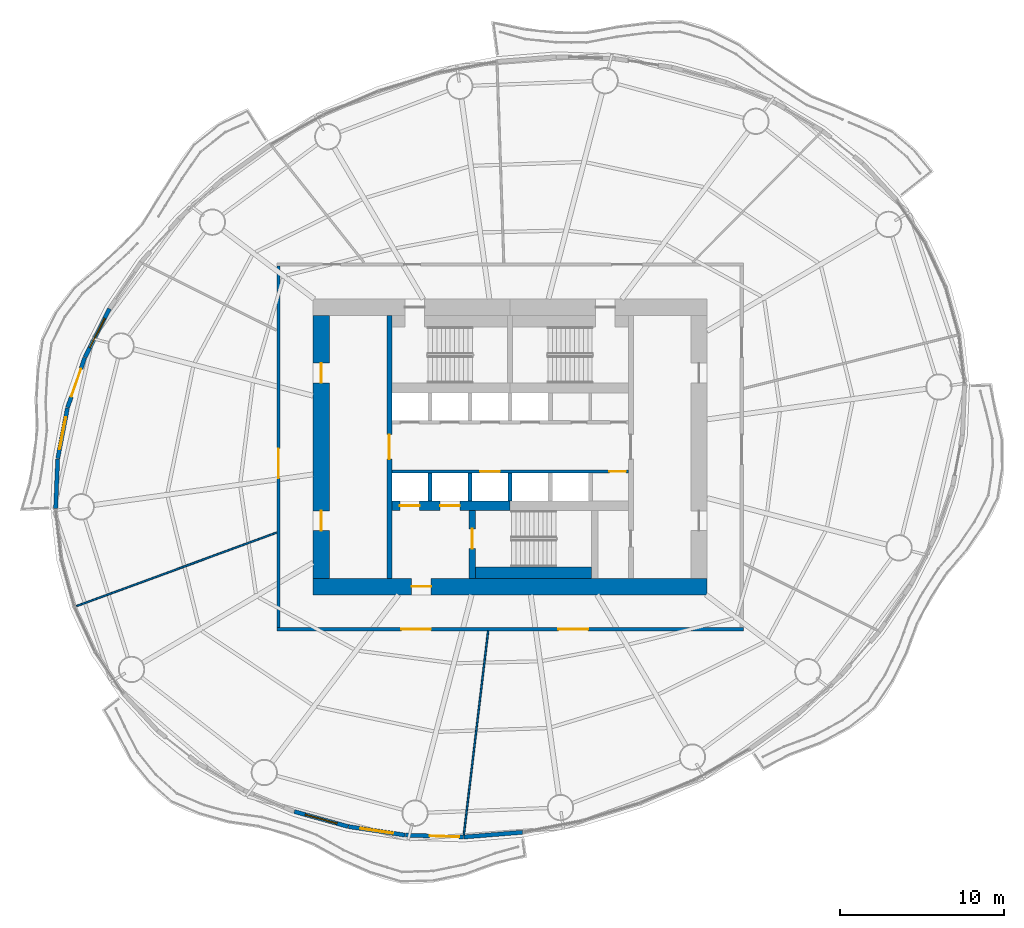
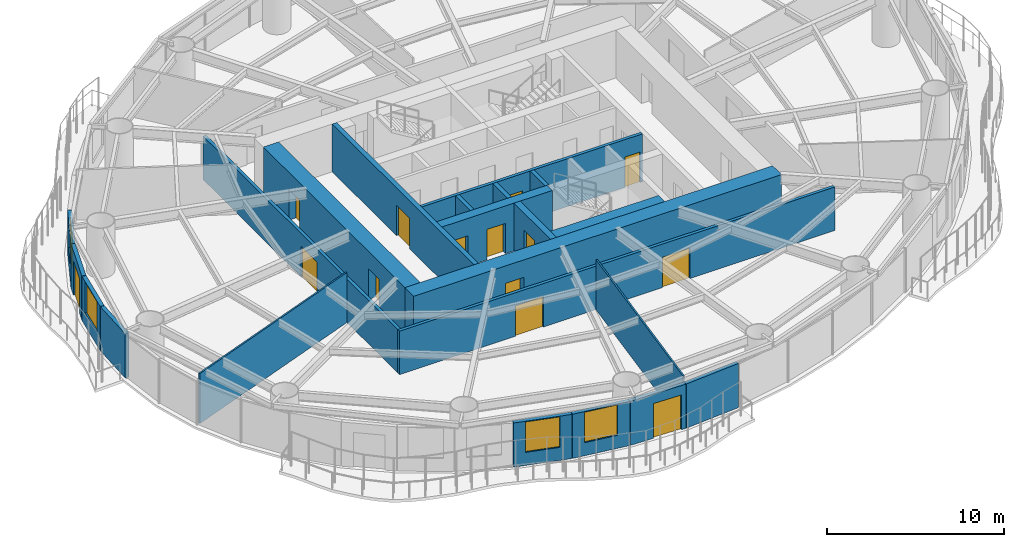
# One storey, part 8 of 16: 22 walls, 14 doors, 4 windows, 18 openings.
"""IFC4 building model written with IfcOpenShell, lengths in metres."""

import ifcopenshell
import ifcopenshell.guid

model = None  # the IFC model being written
_history = None  # IfcOwnerHistory: only IFC2X3 demands one
_inside = {}  # id of a spatial element -> (the spatial element, [elements in it])
_under = {}  # id of a project, library or spatial element -> (it, [spatial elements below it])
_declared = {}  # id of a project -> (the project, [libraries it declares])
_typed = {}  # id of a type object -> (the type object, [elements of that type])
_made_of = {}  # id of a material, layer set ... -> (it, [elements and type objects made of it])


def new_model(schema):
    """Start an empty IFC model of exactly this schema.

    Asked for "IFC4X3", IfcOpenShell would pick the latest addendum, in which some entities
    have other attributes; the version numbers below select the first issue.
    IFC2X3 requires an IfcOwnerHistory on every rooted entity: one is made here for all.
    """
    global model, _history
    if schema == "IFC4X3":
        model = ifcopenshell.file(schema_version=(4, 3, 0, 0))
    else:
        model = ifcopenshell.file(schema=schema)
    _inside.clear()
    _under.clear()
    _declared.clear()
    _typed.clear()
    _made_of.clear()
    _history = None
    if model.schema == "IFC2X3":
        org = make("IfcOrganization", Name="unknown")
        user = make(
            "IfcPersonAndOrganization",
            ThePerson=make("IfcPerson", FamilyName="unknown"),
            TheOrganization=org,
        )
        app = make(
            "IfcApplication",
            ApplicationDeveloper=org,
            Version="unknown",
            ApplicationFullName="unknown",
            ApplicationIdentifier="unknown",
        )
        _history = make(
            "IfcOwnerHistory",
            OwningUser=user,
            OwningApplication=app,
            ChangeAction="ADDED",
            CreationDate=0,
        )
    return model


def make(cls, **values):
    """One entity of the class cls with the attributes given. An attribute that is None is left unset."""
    return model.create_entity(
        cls, **{name: value for name, value in values.items() if value is not None}
    )


def rooted(cls, **values):
    """An entity with a GlobalId (a new one), such as an element, a storey or a relation."""
    return make(cls, GlobalId=ifcopenshell.guid.new(), OwnerHistory=_history, **values)


def si_unit(unit_type, name, prefix=None):
    """IfcSIUnit, for example si_unit("LENGTHUNIT", "METRE", prefix="MILLI")."""
    return make("IfcSIUnit", UnitType=unit_type, Prefix=prefix, Name=name)


def assignment(units):
    """IfcUnitAssignment: the units of a project."""
    return None if units is None else make("IfcUnitAssignment", Units=units)


def point(xyz):
    """IfcCartesianPoint."""
    return None if xyz is None else make("IfcCartesianPoint", Coordinates=xyz)


def direction(xyz):
    """IfcDirection."""
    return None if xyz is None else make("IfcDirection", DirectionRatios=xyz)


def frame(location, z_axis=None, x_axis=None):
    """IfcAxis2Placement3D, a coordinate frame: its origin and axes. An axis left out is left unset."""
    return make(
        "IfcAxis2Placement3D",
        Location=point(location),
        Axis=direction(z_axis),
        RefDirection=direction(x_axis),
    )


def frame_2d(location, x_axis=None):
    """IfcAxis2Placement2D, a coordinate frame in the plane: its origin and x axis."""
    return make(
        "IfcAxis2Placement2D", Location=point(location), RefDirection=direction(x_axis)
    )


def origin():
    """The frame at (0, 0, 0) with its axes left unset."""
    return frame((0.0, 0.0, 0.0))


def place(relative_to, where):
    """IfcLocalPlacement: puts the frame where relative to a parent placement (None: the world)."""
    return make(
        "IfcLocalPlacement", PlacementRelTo=relative_to, RelativePlacement=where
    )


def context(
    kind, dimensions, precision=None, world=None, true_north=None, identifier=None
):
    """IfcGeometricRepresentationContext, for example the 3D "Model" context."""
    return make(
        "IfcGeometricRepresentationContext",
        ContextIdentifier=identifier,
        ContextType=kind,
        CoordinateSpaceDimension=dimensions,
        Precision=precision,
        WorldCoordinateSystem=world,
        TrueNorth=true_north,
    )


def subcontext(parent, identifier, kind, view, scale=None):
    """IfcGeometricRepresentationSubContext, for example "Body" below "Model"."""
    return make(
        "IfcGeometricRepresentationSubContext",
        ContextIdentifier=identifier,
        ContextType=kind,
        ParentContext=parent,
        TargetScale=scale,
        TargetView=view,
    )


def project(units=None, contexts=None):
    """IfcProject with its units and contexts."""
    return rooted(
        "IfcProject",
        Name="project",
        RepresentationContexts=contexts,
        UnitsInContext=assignment(units),
    )


def spatial(cls, under=None, at=None, **own):
    """A site, building, storey or space (cls), placed at a placement, below another one or the project."""
    s = rooted(cls, ObjectPlacement=at, **own)
    if under is not None:
        _under.setdefault(under.id(), (under, []))[1].append(s)
    return s


def profile(cls, at=None, kind="AREA", **sizes):
    """A parametric profile (cls). Its sizes go by their IFC names, for example OverallWidth=200.0."""
    return make(cls, ProfileType=kind, Position=at, **sizes)


def rectangle(**sizes):
    """IfcRectangleProfileDef."""
    return profile("IfcRectangleProfileDef", **sizes)


def extrude(swept, where, along, depth):
    """IfcExtrudedAreaSolid: the profile swept, set in the frame where, extruded along a direction by depth."""
    return make(
        "IfcExtrudedAreaSolid",
        SweptArea=swept,
        Position=where,
        ExtrudedDirection=direction(along),
        Depth=depth,
    )


def shape(context_of_items, identifier, shape_type, items):
    """IfcShapeRepresentation: the items that make up one representation, for example the "Body"."""
    return make(
        "IfcShapeRepresentation",
        ContextOfItems=context_of_items,
        RepresentationIdentifier=identifier,
        RepresentationType=shape_type,
        Items=items,
    )


def material(Name=None, Category=None):
    """IfcMaterial."""
    return make("IfcMaterial", Name=Name, Category=Category)


def layer(
    of_material, thickness, ventilated=None, Name=None, Category=None, Priority=None
):
    """IfcMaterialLayer: one layer of a wall or slab, of a material (None: an air gap)."""
    return make(
        "IfcMaterialLayer",
        Material=of_material,
        LayerThickness=thickness,
        IsVentilated=ventilated,
        Name=Name,
        Category=Category,
        Priority=Priority,
    )


def layer_set(layers, Name=None):
    """IfcMaterialLayerSet."""
    return make("IfcMaterialLayerSet", MaterialLayers=layers, LayerSetName=Name)


def made_of(thing, what):
    """Note that an element or type object is made of a material, layer set ...; save() writes the relation."""
    if what is not None:
        _made_of.setdefault(what.id(), (what, []))[1].append(thing)
    return thing


def type_object(cls, material=None, **own):
    """A type object (cls), such as IfcWallType, which elements share."""
    return made_of(rooted(cls, **own), material)


def element(
    cls,
    number,
    at=None,
    inside=None,
    cuts=None,
    type_object=None,
    material=None,
    context=None,
    identifier="Body",
    shape_type=None,
    held_by="IfcProductDefinitionShape",
    body=None,
    shapes=None,
    **own,
):
    """One element of the class cls, such as IfcWall. Its Tag is "e" and its number.

    at: its placement. inside: the storey or other place that contains it. cuts: it is an
    opening in that element (IfcRelVoidsElement). A single representation is given by context,
    identifier, shape_type and body (its items); several are given by shapes. held_by: the class
    of the entity that holds the representations. save() writes the other relations.
    """
    e = rooted(cls, Tag="e%d" % number, ObjectPlacement=at, **own)
    if body is not None:
        shapes = [shape(context, identifier, shape_type, body)]
    if shapes is not None:
        e.Representation = make(held_by, Representations=shapes)
    if inside is not None:
        _inside.setdefault(inside.id(), (inside, []))[1].append(e)
    if cuts is not None:
        rooted(
            "IfcRelVoidsElement", RelatingBuildingElement=cuts, RelatedOpeningElement=e
        )
    if type_object is not None:
        _typed.setdefault(type_object.id(), (type_object, []))[1].append(e)
    return made_of(e, material)


def fill(opening, filler):
    """IfcRelFillsElement: the door or window that sits in an opening."""
    return rooted(
        "IfcRelFillsElement",
        RelatingOpeningElement=opening,
        RelatedBuildingElement=filler,
    )


def aggregate(whole, parts):
    """IfcRelAggregates: a whole, such as a stair, and the parts it consists of."""
    return rooted("IfcRelAggregates", RelatingObject=whole, RelatedObjects=parts)


def save(model, path):
    """Write the relations noted so far, then the file.

    IfcRelAggregates (storeys below a building ...), IfcRelContainedInSpatialStructure (elements
    in a storey), IfcRelDefinesByType, IfcRelAssociatesMaterial and IfcRelDeclares: one each for
    every whole, place, type object, material and project.
    """
    for whole, parts in _under.values():
        aggregate(whole, parts)
    for where, things in _inside.values():
        rooted(
            "IfcRelContainedInSpatialStructure",
            RelatedElements=things,
            RelatingStructure=where,
        )
    for kind, things in _typed.values():
        rooted("IfcRelDefinesByType", RelatedObjects=things, RelatingType=kind)
    for what, things in _made_of.values():
        rooted("IfcRelAssociatesMaterial", RelatedObjects=things, RelatingMaterial=what)
    for by, libraries in _declared.values():
        rooted("IfcRelDeclares", RelatingContext=by, RelatedDefinitions=libraries)
    model.write(path)


model = new_model("IFC4")

# Units and contexts
model_context = context("Model", 3, precision=1e-05, world=origin(), true_north=direction((0.0, 1.0)))
body_context = subcontext(model_context, "Body", "Model", "MODEL_VIEW")
ifc_project = project(units=[si_unit("LENGTHUNIT", "METRE"), si_unit("AREAUNIT", "SQUARE_METRE"), si_unit("VOLUMEUNIT", "CUBIC_METRE"), si_unit("PLANEANGLEUNIT", "RADIAN"), si_unit("MASSUNIT", "GRAM", prefix="KILO")], contexts=[model_context])

# Site, building, storey
site_placement = place(None, origin())
site = spatial("IfcSite", under=ifc_project, at=site_placement, CompositionType="ELEMENT")
building_placement = place(site_placement, origin())
building = spatial("IfcBuilding", under=site, at=building_placement, Name="Vermilion Reach Broadcast Tower", CompositionType="ELEMENT")
storey_placement = place(building_placement, frame((0.0, 0.0, 113.800048828125)))
storey = spatial("IfcBuildingStorey", under=building, at=storey_placement, Name="L26", CompositionType="ELEMENT", Elevation=113.800048828125)

# Wall, opening, door
ifc_material_1 = material(Name="Concrete C70", Category="concrete")
ifc_layer_1 = layer(ifc_material_1, 0.300048828125)
ifc_layer_set_1 = layer_set([ifc_layer_1], Name="Core inner wall 300 mm Concrete C70")
wall_type_1 = type_object("IfcWallType", Name="Core inner wall 300 mm Concrete C70", PredefinedType="SHEAR", material=ifc_layer_set_1)
wall_1_placement = place(storey_placement, frame((-13.35009765625, 8.0, 0.0), z_axis=(0.0, 0.0, 1.0), x_axis=(0.0, -1.0, 0.0)))
wall_1 = element("IfcWall", 1, at=wall_1_placement, inside=storey, type_object=wall_type_1, Name="L26 core wall ewW", PredefinedType="SHEAR", context=body_context, shape_type="SweptSolid", body=[
    extrude(rectangle(XDim=16.0, YDim=0.300048828125, at=frame_2d((8.0, 0.0))), origin(), (0.0, 0.0, 1.0), 3.300048828125),
])
opening_1_placement = place(wall_1_placement, frame((7.25, 0.0, 0.0)))
opening_1 = element("IfcOpeningElement", 2, at=opening_1_placement, cuts=wall_1, Name="Opening D04", PredefinedType="OPENING", context=body_context, shape_type="SweptSolid", body=[
    extrude(rectangle(XDim=1.5, YDim=2.10009765625, at=frame_2d((0.75, 1.050048828125))), frame((0.0, 0.159912109375, 0.0), z_axis=(0.0, -1.0, 0.0), x_axis=(1.0, 0.0, 0.0)), (0.0, 0.0, 1.0), 0.320068359375),
])
ifc_material_2 = material(Name="Painted steel fire door", Category="steel")
door_type_1 = type_object("IfcDoorType", Name="Lift lobby door 1500 x 2100", OperationType="DOUBLE_DOOR_SINGLE_SWING", PredefinedType="NOTDEFINED", material=ifc_material_2)
door_1_placement = place(opening_1_placement, origin())
door_1 = element("IfcDoor", 3, at=door_1_placement, inside=storey, type_object=door_type_1, Name="L26 band door BW", OperationType="DOUBLE_DOOR_SINGLE_SWING", OverallHeight=2.10009765625, OverallWidth=1.5, PredefinedType="NOTDEFINED", context=body_context, shape_type="SweptSolid", body=[
    extrude(rectangle(XDim=1.5, YDim=2.10009765625, at=frame_2d((0.75, 1.050048828125))), frame((0.0, 0.02490234375, 0.0), z_axis=(0.0, -1.0, 0.0), x_axis=(1.0, 0.0, 0.0)), (0.0, 0.0, 1.0), 0.050048828125),
])
fill(opening_1, door_1)

ifc_material_3 = material(Name="Concrete C70", Category="concrete")
ifc_layer_2 = layer(ifc_material_3, 0.39990234375)
ifc_layer_set_2 = layer_set([ifc_layer_2], Name="Core inner wall 400 mm Concrete C70")
wall_type_2 = type_object("IfcWallType", Name="Core inner wall 400 mm Concrete C70", PredefinedType="SHEAR", material=ifc_layer_set_2)
wall_2_placement = place(storey_placement, frame((-8.300048828125, -3.8798828125, 0.0), z_axis=(0.0, 0.0, 1.0), x_axis=(0.0, -1.0, 0.0)))
wall_2 = element("IfcWall", 4, at=wall_2_placement, inside=storey, type_object=wall_type_2, Name="L26 core wall wa", PredefinedType="SHEAR", context=body_context, shape_type="SweptSolid", body=[
    extrude(rectangle(XDim=4.1201171875, YDim=0.39990234375, at=frame_2d((2.06005859375, 0.0))), origin(), (0.0, 0.0, 1.0), 3.300048828125),
])
opening_2_placement = place(wall_2_placement, frame((1.110107421875, 0.0, 0.0)))
opening_2 = element("IfcOpeningElement", 5, at=opening_2_placement, cuts=wall_2, Name="Opening D01", PredefinedType="OPENING", context=body_context, shape_type="SweptSolid", body=[
    extrude(rectangle(XDim=1.199951171875, YDim=2.10009765625, at=frame_2d((0.60009765625, 1.050048828125))), frame((0.0, 0.2099609375, 0.0), z_axis=(0.0, -1.0, 0.0), x_axis=(1.0, 0.0, 0.0)), (0.0, 0.0, 1.0), 0.419921875),
])
ifc_material_4 = material(Name="Painted steel fire door", Category="steel")
door_type_2 = type_object("IfcDoorType", Name="Stair door 1200 x 2100", OperationType="DOUBLE_DOOR_SINGLE_SWING", PredefinedType="NOTDEFINED", material=ifc_material_4)
door_2_placement = place(opening_2_placement, origin())
door_2 = element("IfcDoor", 6, at=door_2_placement, inside=storey, type_object=door_type_2, Name="L26 stair door ST3", OperationType="DOUBLE_DOOR_SINGLE_SWING", OverallHeight=2.10009765625, OverallWidth=1.199951171875, PredefinedType="NOTDEFINED", context=body_context, shape_type="SweptSolid", body=[
    extrude(rectangle(XDim=1.199951171875, YDim=2.10009765625, at=frame_2d((0.60009765625, 1.050048828125))), frame((0.0, 0.02490234375, 0.0), z_axis=(0.0, -1.0, 0.0), x_axis=(1.0, 0.0, 0.0)), (0.0, 0.0, 1.0), 0.050048828125),
])
fill(opening_2, door_2)

# Wall, openings, doors
ifc_material_5 = material(Name="Concrete C70", Category="concrete")
ifc_layer_3 = layer(ifc_material_5, 0.60009765625)
ifc_layer_set_3 = layer_set([ifc_layer_3], Name="Core inner wall 600 mm Concrete C70")
wall_type_3 = type_object("IfcWallType", Name="Core inner wall 600 mm Concrete C70", PredefinedType="SHEAR", material=ifc_layer_set_3)
wall_3_placement = place(storey_placement, frame((-13.199951171875, -3.580078125, 0.0), z_axis=(0.0, 0.0, 1.0), x_axis=(1.0, 0.0, 0.0)))
wall_3 = element("IfcWall", 7, at=wall_3_placement, inside=storey, type_object=wall_type_3, Name="L26 core wall wisW", PredefinedType="SHEAR", context=body_context, shape_type="SweptSolid", body=[
    extrude(rectangle(XDim=7.199951171875, YDim=0.60009765625, at=frame_2d((3.60009765625, 0.0))), origin(), (0.0, 0.0, 1.0), 3.300048828125),
])
opening_3_placement = place(wall_3_placement, frame((0.495849609375, 0.0, 0.0)))
opening_3 = element("IfcOpeningElement", 8, at=opening_3_placement, cuts=wall_3, Name="Opening LD1", PredefinedType="OPENING", context=body_context, shape_type="SweptSolid", body=[
    extrude(rectangle(XDim=1.199951171875, YDim=2.10009765625, at=frame_2d((0.60009765625, 1.050048828125))), frame((0.0, 0.31005859375, 0.0), z_axis=(0.0, -1.0, 0.0), x_axis=(1.0, 0.0, 0.0)), (0.0, 0.0, 1.0), 0.6201171875),
])
opening_4_placement = place(wall_3_placement, frame((2.9375, 0.0, 0.0)))
opening_4 = element("IfcOpeningElement", 9, at=opening_4_placement, cuts=wall_3, Name="Opening LD1", PredefinedType="OPENING", context=body_context, shape_type="SweptSolid", body=[
    extrude(rectangle(XDim=1.199951171875, YDim=2.10009765625, at=frame_2d((0.60009765625, 1.050048828125))), frame((0.0, 0.31005859375, 0.0), z_axis=(0.0, -1.0, 0.0), x_axis=(1.0, 0.0, 0.0)), (0.0, 0.0, 1.0), 0.6201171875),
])
ifc_material_6 = material(Name="Stainless steel", Category="steel")
door_type_3 = type_object("IfcDoorType", Name="Landing door 1200 x 2100", OperationType="DOUBLE_DOOR_SLIDING", PredefinedType="NOTDEFINED", material=ifc_material_6)
door_3_placement = place(opening_3_placement, origin())
door_3 = element("IfcDoor", 10, at=door_3_placement, inside=storey, type_object=door_type_3, Name="L26 landing door FF1", OperationType="DOUBLE_DOOR_SLIDING", OverallHeight=2.10009765625, OverallWidth=1.199951171875, PredefinedType="NOTDEFINED", context=body_context, shape_type="SweptSolid", body=[
    extrude(rectangle(XDim=1.199951171875, YDim=2.10009765625, at=frame_2d((0.60009765625, 1.050048828125))), frame((0.0, 0.02490234375, 0.0), z_axis=(0.0, -1.0, 0.0), x_axis=(1.0, 0.0, 0.0)), (0.0, 0.0, 1.0), 0.050048828125),
])
fill(opening_3, door_3)
door_4_placement = place(opening_4_placement, origin())
door_4 = element("IfcDoor", 11, at=door_4_placement, inside=storey, type_object=door_type_3, Name="L26 landing door FF2", OperationType="DOUBLE_DOOR_SLIDING", OverallHeight=2.10009765625, OverallWidth=1.199951171875, PredefinedType="NOTDEFINED", context=body_context, shape_type="SweptSolid", body=[
    extrude(rectangle(XDim=1.199951171875, YDim=2.10009765625, at=frame_2d((0.60009765625, 1.050048828125))), frame((0.0, 0.02490234375, 0.0), z_axis=(0.0, -1.0, 0.0), x_axis=(1.0, 0.0, 0.0)), (0.0, 0.0, 1.0), 0.050048828125),
])
fill(opening_4, door_4)

# Wall, opening, door
ifc_material_7 = material(Name="Concrete C70", Category="concrete")
ifc_layer_4 = layer(ifc_material_7, 1.0)
ifc_layer_set_4 = layer_set([ifc_layer_4], Name="Core outer wall 1000 mm Concrete C70")
wall_type_4 = type_object("IfcWallType", Name="Core outer wall 1000 mm Concrete C70", PredefinedType="SHEAR", material=ifc_layer_set_4)
wall_4_placement = place(storey_placement, frame((-18.0, -8.5, 0.0), z_axis=(0.0, 0.0, 1.0), x_axis=(1.0, 0.0, 0.0)))
wall_4 = element("IfcWall", 12, at=wall_4_placement, inside=storey, type_object=wall_type_4, Name="L26 core wall os", PredefinedType="SHEAR", context=body_context, shape_type="SweptSolid", body=[
    extrude(rectangle(XDim=24.0, YDim=1.0, at=frame_2d((12.0, 0.0))), origin(), (0.0, 0.0, 1.0), 3.300048828125),
])
opening_5_placement = place(wall_4_placement, frame((6.0, 0.0, 0.0)))
opening_5 = element("IfcOpeningElement", 13, at=opening_5_placement, cuts=wall_4, Name="Opening D02", PredefinedType="OPENING", context=body_context, shape_type="SweptSolid", body=[
    extrude(rectangle(XDim=1.199951171875, YDim=2.10009765625, at=frame_2d((0.60009765625, 1.050048828125))), frame((0.0, 0.510009765625, 0.0), z_axis=(0.0, -1.0, 0.0), x_axis=(1.0, 0.0, 0.0)), (0.0, 0.0, 1.0), 1.02001953125),
])
ifc_material_8 = material(Name="Painted steel fire door", Category="steel")
door_type_4 = type_object("IfcDoorType", Name="Firefighting lobby door 1200 x 2100", OperationType="DOUBLE_DOOR_SINGLE_SWING", PredefinedType="NOTDEFINED", material=ifc_material_8)
door_5_placement = place(opening_5_placement, origin())
door_5 = element("IfcDoor", 14, at=door_5_placement, inside=storey, type_object=door_type_4, Name="L26 ffdoor door FFL", OperationType="DOUBLE_DOOR_SINGLE_SWING", OverallHeight=2.10009765625, OverallWidth=1.199951171875, PredefinedType="NOTDEFINED", context=body_context, shape_type="SweptSolid", body=[
    extrude(rectangle(XDim=1.199951171875, YDim=2.10009765625, at=frame_2d((0.60009765625, 1.050048828125))), frame((0.0, 0.02490234375, 0.0), z_axis=(0.0, -1.0, 0.0), x_axis=(1.0, 0.0, 0.0)), (0.0, 0.0, 1.0), 0.050048828125),
])
fill(opening_5, door_5)

# Wall, openings, doors
wall_5_placement = place(storey_placement, frame((-17.5, 8.0, 0.0), z_axis=(0.0, 0.0, 1.0), x_axis=(0.0, -1.0, 0.0)))
wall_5 = element("IfcWall", 15, at=wall_5_placement, inside=storey, type_object=wall_type_4, Name="L26 core wall ow", PredefinedType="SHEAR", context=body_context, shape_type="SweptSolid", body=[
    extrude(rectangle(XDim=16.0, YDim=1.0, at=frame_2d((8.0, 0.0))), origin(), (0.0, 0.0, 1.0), 3.300048828125),
])
opening_6_placement = place(wall_5_placement, frame((11.89990234375, 0.0, 0.0)))
opening_6 = element("IfcOpeningElement", 16, at=opening_6_placement, cuts=wall_5, Name="Opening D03", PredefinedType="OPENING", context=body_context, shape_type="SweptSolid", body=[
    extrude(rectangle(XDim=1.199951171875, YDim=2.10009765625, at=frame_2d((0.60009765625, 1.050048828125))), frame((0.0, 0.510009765625, 0.0), z_axis=(0.0, -1.0, 0.0), x_axis=(1.0, 0.0, 0.0)), (0.0, 0.0, 1.0), 1.02001953125),
])
opening_7_placement = place(wall_5_placement, frame((2.89990234375, 0.0, 0.0)))
opening_7 = element("IfcOpeningElement", 17, at=opening_7_placement, cuts=wall_5, Name="Opening D03", PredefinedType="OPENING", context=body_context, shape_type="SweptSolid", body=[
    extrude(rectangle(XDim=1.199951171875, YDim=2.10009765625, at=frame_2d((0.60009765625, 1.050048828125))), frame((0.0, 0.510009765625, 0.0), z_axis=(0.0, -1.0, 0.0), x_axis=(1.0, 0.0, 0.0)), (0.0, 0.0, 1.0), 1.02001953125),
])
ifc_material_9 = material(Name="Painted steel fire door", Category="steel")
door_type_5 = type_object("IfcDoorType", Name="Core lobby door 1200 x 2100", OperationType="DOUBLE_DOOR_SINGLE_SWING", PredefinedType="NOTDEFINED", material=ifc_material_9)
door_6_placement = place(opening_6_placement, origin())
door_6 = element("IfcDoor", 18, at=door_6_placement, inside=storey, type_object=door_type_5, Name="L26 slot door W0", OperationType="DOUBLE_DOOR_SINGLE_SWING", OverallHeight=2.10009765625, OverallWidth=1.199951171875, PredefinedType="NOTDEFINED", context=body_context, shape_type="SweptSolid", body=[
    extrude(rectangle(XDim=1.199951171875, YDim=2.10009765625, at=frame_2d((0.60009765625, 1.050048828125))), frame((0.0, 0.02490234375, 0.0), z_axis=(0.0, -1.0, 0.0), x_axis=(1.0, 0.0, 0.0)), (0.0, 0.0, 1.0), 0.050048828125),
])
fill(opening_6, door_6)
door_7_placement = place(opening_7_placement, origin())
door_7 = element("IfcDoor", 19, at=door_7_placement, inside=storey, type_object=door_type_5, Name="L26 slot door W1", OperationType="DOUBLE_DOOR_SINGLE_SWING", OverallHeight=2.10009765625, OverallWidth=1.199951171875, PredefinedType="NOTDEFINED", context=body_context, shape_type="SweptSolid", body=[
    extrude(rectangle(XDim=1.199951171875, YDim=2.10009765625, at=frame_2d((0.60009765625, 1.050048828125))), frame((0.0, 0.02490234375, 0.0), z_axis=(0.0, -1.0, 0.0), x_axis=(1.0, 0.0, 0.0)), (0.0, 0.0, 1.0), 0.050048828125),
])
fill(opening_7, door_7)

ifc_material_10 = material(Name="Concrete C50", Category="concrete")
ifc_layer_5 = layer(ifc_material_10, 0.199951171875)
ifc_layer_set_5 = layer_set([ifc_layer_5], Name="Core shaft wall 200 mm Concrete C50")
wall_type_5 = type_object("IfcWallType", Name="Core shaft wall 200 mm Concrete C50", PredefinedType="SHEAR", material=ifc_layer_set_5)
wall_6_placement = place(storey_placement, frame((1.199951171875, -1.5, 0.0), z_axis=(0.0, 0.0, 1.0), x_axis=(-1.0, 0.0, 0.0)))
wall_6 = element("IfcWall", 20, at=wall_6_placement, inside=storey, type_object=wall_type_5, Name="L26 core wall fs", PredefinedType="SHEAR", context=body_context, shape_type="SweptSolid", body=[
    extrude(rectangle(XDim=14.39990234375, YDim=0.199951171875, at=frame_2d((7.199951171875, 0.0))), origin(), (0.0, 0.0, 1.0), 3.300048828125),
])
opening_8_placement = place(wall_6_placement, frame((7.82080078125, 0.0, 0.0)))
opening_8 = element("IfcOpeningElement", 21, at=opening_8_placement, cuts=wall_6, Name="Opening LD1", PredefinedType="OPENING", context=body_context, shape_type="SweptSolid", body=[
    extrude(rectangle(XDim=1.199951171875, YDim=2.10009765625, at=frame_2d((0.60009765625, 1.050048828125))), frame((0.0, 0.10986328125, 0.0), z_axis=(0.0, -1.0, 0.0), x_axis=(1.0, 0.0, 0.0)), (0.0, 0.0, 1.0), 0.219970703125),
])
opening_9_placement = place(wall_6_placement, frame((0.14990234375, 0.0, 0.0)))
opening_9 = element("IfcOpeningElement", 22, at=opening_9_placement, cuts=wall_6, Name="Opening D07", PredefinedType="OPENING", context=body_context, shape_type="SweptSolid", body=[
    extrude(rectangle(XDim=1.0, YDim=2.10009765625, at=frame_2d((0.5, 1.050048828125))), frame((0.0, 0.10986328125, 0.0), z_axis=(0.0, -1.0, 0.0), x_axis=(1.0, 0.0, 0.0)), (0.0, 0.0, 1.0), 0.219970703125),
])
ifc_material_11 = material(Name="Timber door", Category="wood")
door_type_6 = type_object("IfcDoorType", Name="Accessible WC door 1000 x 2100", OperationType="NOTDEFINED", PredefinedType="NOTDEFINED", material=ifc_material_11)
door_8_placement = place(opening_9_placement, origin())
door_8 = element("IfcDoor", 23, at=door_8_placement, inside=storey, type_object=door_type_6, Name="L26 door Accessible WC", OperationType="SINGLE_SWING_LEFT", OverallHeight=2.10009765625, OverallWidth=1.0, PredefinedType="NOTDEFINED", context=body_context, shape_type="SweptSolid", body=[
    extrude(rectangle(XDim=1.0, YDim=2.10009765625, at=frame_2d((0.5, 1.050048828125))), frame((0.0, 0.02490234375, 0.0), z_axis=(0.0, -1.0, 0.0), x_axis=(1.0, 0.0, 0.0)), (0.0, 0.0, 1.0), 0.050048828125),
])
fill(opening_9, door_8)
door_9_placement = place(opening_8_placement, origin())
door_9 = element("IfcDoor", 24, at=door_9_placement, inside=storey, type_object=door_type_3, Name="L26 landing door SV1", OperationType="DOUBLE_DOOR_SLIDING", OverallHeight=2.10009765625, OverallWidth=1.199951171875, PredefinedType="NOTDEFINED", context=body_context, shape_type="SweptSolid", body=[
    extrude(rectangle(XDim=1.199951171875, YDim=2.10009765625, at=frame_2d((0.60009765625, 1.050048828125))), frame((0.0, 0.02490234375, 0.0), z_axis=(0.0, -1.0, 0.0), x_axis=(1.0, 0.0, 0.0)), (0.0, 0.0, 1.0), 0.050048828125),
])
fill(opening_8, door_9)

# Walls
ifc_material_12 = material(Name="Concrete C50", Category="concrete")
ifc_layer_6 = layer(ifc_material_12, 0.25)
ifc_layer_set_6 = layer_set([ifc_layer_6], Name="Core shaft wall 250 mm Concrete C50")
wall_type_6 = type_object("IfcWallType", Name="Core shaft wall 250 mm Concrete C50", PredefinedType="SHEAR", material=ifc_layer_set_6)
for number, where, z_axis, x_axis, name in (
    (25, (-10.88330078125, -1.60009765625, 0.0), (0.0, 0.0, 1.0), (0.0, -1.0, 0.0), "L26 core wall psS0"),
    (26, (-8.441650390625, -1.60009765625, 0.0), (0.0, 0.0, 1.0), (0.0, -1.0, 0.0), "L26 core wall psS1"),
    (27, (-6.0, -1.60009765625, 0.0), (0.0, 0.0, 1.0), (0.0, -1.0, 0.0), "L26 core wall psS2"),
):
    element("IfcWall", number, at=place(storey_placement, frame(where, z_axis=z_axis, x_axis=x_axis)), inside=storey, type_object=wall_type_6, Name=name, PredefinedType="SHEAR", context=body_context, shape_type="SweptSolid", body=[
        extrude(rectangle(XDim=1.679931640625, YDim=0.25, at=frame_2d((0.83984375, 0.0))), origin(), (0.0, 0.0, 1.0), 3.300048828125),
    ])
ifc_material_13 = material(Name="Concrete C70", Category="concrete")
ifc_layer_7 = layer(ifc_material_13, 0.699951171875)
ifc_layer_set_7 = layer_set([ifc_layer_7], Name="Core stair wall 700 mm Concrete C70")
wall_type_7 = type_object("IfcWallType", Name="Core stair wall 700 mm Concrete C70", PredefinedType="SHEAR", material=ifc_layer_set_7)
wall_7_placement = place(storey_placement, frame((-8.10009765625, -7.64990234375, 0.0), z_axis=(0.0, 0.0, 1.0), x_axis=(1.0, 0.0, 0.0)))
element("IfcWall", 28, at=wall_7_placement, inside=storey, type_object=wall_type_7, Name="L26 core wall l3", PredefinedType="SHEAR", context=body_context, shape_type="SweptSolid", body=[
    extrude(rectangle(XDim=7.050048828125, YDim=0.699951171875, at=frame_2d((3.52490234375, 0.0))), origin(), (0.0, 0.0, 1.0), 3.300048828125),
])
ifc_material_14 = material(Name="Plasterboard on steel stud", Category="steel")
ifc_layer_8 = layer(ifc_material_14, 0.10009765625)
ifc_layer_set_8 = layer_set([ifc_layer_8], Name="Partition 100 steel stud")
wall_type_8 = type_object("IfcWallType", Name="Partition 100 steel stud", PredefinedType="PARTITIONING", material=ifc_layer_set_8)
wall_8_placement = place(storey_placement, frame((-32.392822265625, -9.689697265625, 0.0), z_axis=(0.0, 0.0, 1.0), x_axis=(0.93873651108, 0.344635695722, 0.0)))
element("IfcWall", 29, at=wall_8_placement, inside=storey, type_object=wall_type_8, Name="Partition 26.05", PredefinedType="PARTITIONING", context=body_context, shape_type="SweptSolid", body=[
    extrude(rectangle(XDim=12.97021484375, YDim=0.10009765625, at=frame_2d((6.485107421875, 0.0))), origin(), (0.0, 0.0, 1.0), 3.449951171875),
])
wall_9_placement = place(storey_placement, frame((-8.816650390625, -23.622314453125, 0.0), z_axis=(0.0, 0.0, 1.0), x_axis=(0.118395318252, 0.992966539525, 0.0)))
element("IfcWall", 30, at=wall_9_placement, inside=storey, type_object=wall_type_8, Name="Partition 26.06", PredefinedType="PARTITIONING", context=body_context, shape_type="SweptSolid", body=[
    extrude(rectangle(XDim=12.50439453125, YDim=0.10009765625, at=frame_2d((6.252197265625, 0.0))), origin(), (0.0, 0.0, 1.0), 3.449951171875),
])

# Wall, opening, window
ifc_material_15 = material(Name="Terracotta rainscreen cladding", Category="masonry")
ifc_layer_9 = layer(ifc_material_15, 0.25)
ifc_layer_set_9 = layer_set([ifc_layer_9], Name="Terracotta rainscreen wall 250")
wall_type_9 = type_object("IfcWallType", Name="Terracotta rainscreen wall 250", PredefinedType="SOLIDWALL", material=ifc_layer_set_9)
wall_10_placement = place(storey_placement, frame((-30.390869140625, 8.40576171875, 0.0), z_axis=(0.0, 0.0, 1.0), x_axis=(-0.450638115992, -0.89270672027, 0.0)))
wall_10 = element("IfcWall", 31, at=wall_10_placement, inside=storey, type_object=wall_type_9, Name="External wall L26 18", PredefinedType="SOLIDWALL", context=body_context, shape_type="SweptSolid", body=[
    extrude(rectangle(XDim=3.3046875, YDim=0.25, at=frame_2d((1.65234375, 0.0))), origin(), (0.0, 0.0, 1.0), 3.050048828125),
])
opening_10_placement = place(wall_10_placement, frame((0.65234375, 0.0, 0.89990234375)))
opening_10 = element("IfcOpeningElement", 32, at=opening_10_placement, cuts=wall_10, Name="Opening W03", PredefinedType="OPENING", context=body_context, shape_type="SweptSolid", body=[
    extrude(rectangle(XDim=2.0, YDim=2.10009765625, at=frame_2d((1.0, 1.050048828125))), frame((0.0, 0.135009765625, 0.0), z_axis=(0.0, -1.0, 0.0), x_axis=(1.0, 0.0, 0.0)), (0.0, 0.0, 1.0), 0.27001953125),
])
ifc_material_16 = material(Name="Low-e laminated clear glass in aluminium frame", Category="aluminium")
window_type = type_object("IfcWindowType", Name="Punched window 2000 x 2100 sill 900", PartitioningType="SINGLE_PANEL", PredefinedType="WINDOW", material=ifc_material_16)
window_1_placement = place(opening_10_placement, origin())
window_1 = element("IfcWindow", 33, at=window_1_placement, inside=storey, type_object=window_type, Name="Window L26 18", OverallHeight=2.10009765625, OverallWidth=2.0, PartitioningType="SINGLE_PANEL", PredefinedType="WINDOW", context=body_context, shape_type="SweptSolid", body=[
    extrude(rectangle(XDim=2.0, YDim=2.10009765625, at=frame_2d((1.0, 1.050048828125))), frame((0.0, 0.030029296875, 0.0), z_axis=(0.0, -1.0, 0.0), x_axis=(1.0, 0.0, 0.0)), (0.0, 0.0, 1.0), 0.06005859375),
])
fill(opening_10, window_1)

# Wall, opening, door
wall_11_placement = place(storey_placement, frame((-31.889892578125, 5.4326171875, 0.0), z_axis=(0.0, 0.0, 1.0), x_axis=(-0.326142792105, -0.945320516628, 0.0)))
wall_11 = element("IfcWall", 34, at=wall_11_placement, inside=storey, type_object=wall_type_9, Name="External wall L26 19", PredefinedType="SOLIDWALL", context=body_context, shape_type="SweptSolid", body=[
    extrude(rectangle(XDim=3.215087890625, YDim=0.25, at=frame_2d((1.607421875, 0.0))), origin(), (0.0, 0.0, 1.0), 3.050048828125),
])
opening_11_placement = place(wall_11_placement, frame((0.7080078125, 0.0, 0.0)))
opening_11 = element("IfcOpeningElement", 35, at=opening_11_placement, cuts=wall_11, Name="Opening D70", PredefinedType="OPENING", context=body_context, shape_type="SweptSolid", body=[
    extrude(rectangle(XDim=1.800048828125, YDim=2.39990234375, at=frame_2d((0.89990234375, 1.199951171875))), frame((0.0, 0.135009765625, 0.0), z_axis=(0.0, -1.0, 0.0), x_axis=(1.0, 0.0, 0.0)), (0.0, 0.0, 1.0), 0.27001953125),
])
ifc_material_17 = material(Name="Low-e laminated clear glass in aluminium frame", Category="aluminium")
door_type_7 = type_object("IfcDoorType", Name="Balcony sliding door 1800 x 2400", OperationType="DOUBLE_DOOR_SLIDING", PredefinedType="DOOR", material=ifc_material_17)
door_10_placement = place(opening_11_placement, origin())
door_10 = element("IfcDoor", 36, at=door_10_placement, inside=storey, type_object=door_type_7, Name="Balcony door L26 run 05", OperationType="DOUBLE_DOOR_SLIDING", OverallHeight=2.39990234375, OverallWidth=1.800048828125, PredefinedType="DOOR", context=body_context, shape_type="SweptSolid", body=[
    extrude(rectangle(XDim=1.800048828125, YDim=2.39990234375, at=frame_2d((0.89990234375, 1.199951171875))), frame((0.0, 0.02490234375, 0.0), z_axis=(0.0, -1.0, 0.0), x_axis=(1.0, 0.0, 0.0)), (0.0, 0.0, 1.0), 0.050048828125),
])
fill(opening_11, door_10)

# Wall, opening, window
wall_12_placement = place(storey_placement, frame((-32.945068359375, 2.368408203125, 0.0), z_axis=(0.0, 0.0, 1.0), x_axis=(-0.188780901571, -0.982019231585, 0.0)))
wall_12 = element("IfcWall", 37, at=wall_12_placement, inside=storey, type_object=wall_type_9, Name="External wall L26 20", PredefinedType="SOLIDWALL", context=body_context, shape_type="SweptSolid", body=[
    extrude(rectangle(XDim=3.13232421875, YDim=0.25, at=frame_2d((1.566162109375, 0.0))), origin(), (0.0, 0.0, 1.0), 3.050048828125),
])
opening_12_placement = place(wall_12_placement, frame((0.566162109375, 0.0, 0.89990234375)))
opening_12 = element("IfcOpeningElement", 38, at=opening_12_placement, cuts=wall_12, Name="Opening W03", PredefinedType="OPENING", context=body_context, shape_type="SweptSolid", body=[
    extrude(rectangle(XDim=2.0, YDim=2.10009765625, at=frame_2d((1.0, 1.050048828125))), frame((0.0, 0.135009765625, 0.0), z_axis=(0.0, -1.0, 0.0), x_axis=(1.0, 0.0, 0.0)), (0.0, 0.0, 1.0), 0.27001953125),
])
window_2_placement = place(opening_12_placement, origin())
window_2 = element("IfcWindow", 39, at=window_2_placement, inside=storey, type_object=window_type, Name="Window L26 20", OverallHeight=2.10009765625, OverallWidth=2.0, PartitioningType="SINGLE_PANEL", PredefinedType="WINDOW", context=body_context, shape_type="SweptSolid", body=[
    extrude(rectangle(XDim=2.0, YDim=2.10009765625, at=frame_2d((1.0, 1.050048828125))), frame((0.0, 0.030029296875, 0.0), z_axis=(0.0, -1.0, 0.0), x_axis=(1.0, 0.0, 0.0)), (0.0, 0.0, 1.0), 0.06005859375),
])
fill(opening_12, window_2)

# Wall
wall_13_placement = place(storey_placement, frame((-33.539306640625, -0.73388671875, 0.0), z_axis=(0.0, 0.0, 1.0), x_axis=(-0.04088113468, -0.99916401698, 0.0)))
element("IfcWall", 40, at=wall_13_placement, inside=storey, type_object=wall_type_9, Name="External wall L26 21", PredefinedType="SOLIDWALL", context=body_context, shape_type="SweptSolid", body=[
    extrude(rectangle(XDim=3.021728515625, YDim=0.25, at=frame_2d((1.5107421875, 0.0))), origin(), (0.0, 0.0, 1.0), 3.050048828125),
])

# Wall, opening, window
wall_14_placement = place(storey_placement, frame((-19.135009765625, -22.19921875, 0.0), z_axis=(0.0, 0.0, 1.0), x_axis=(0.96343750938, -0.267933136285, 0.0)))
wall_14 = element("IfcWall", 41, at=wall_14_placement, inside=storey, type_object=wall_type_9, Name="External wall L26 30", PredefinedType="SOLIDWALL", context=body_context, shape_type="SweptSolid", body=[
    extrude(rectangle(XDim=3.39501953125, YDim=0.25, at=frame_2d((1.697509765625, 0.0))), origin(), (0.0, 0.0, 1.0), 3.050048828125),
])
opening_13_placement = place(wall_14_placement, frame((0.697509765625, 0.0, 0.89990234375)))
opening_13 = element("IfcOpeningElement", 42, at=opening_13_placement, cuts=wall_14, Name="Opening W03", PredefinedType="OPENING", context=body_context, shape_type="SweptSolid", body=[
    extrude(rectangle(XDim=2.0, YDim=2.10009765625, at=frame_2d((1.0, 1.050048828125))), frame((0.0, 0.135009765625, 0.0), z_axis=(0.0, -1.0, 0.0), x_axis=(1.0, 0.0, 0.0)), (0.0, 0.0, 1.0), 0.27001953125),
])
window_3_placement = place(opening_13_placement, origin())
window_3 = element("IfcWindow", 43, at=window_3_placement, inside=storey, type_object=window_type, Name="Window L26 30", OverallHeight=2.10009765625, OverallWidth=2.0, PartitioningType="SINGLE_PANEL", PredefinedType="WINDOW", context=body_context, shape_type="SweptSolid", body=[
    extrude(rectangle(XDim=2.0, YDim=2.10009765625, at=frame_2d((1.0, 1.050048828125))), frame((0.0, 0.030029296875, 0.0), z_axis=(0.0, -1.0, 0.0), x_axis=(1.0, 0.0, 0.0)), (0.0, 0.0, 1.0), 0.06005859375),
])
fill(opening_13, window_3)

wall_15_placement = place(storey_placement, frame((-15.84130859375, -23.11376953125, 0.0), z_axis=(0.0, 0.0, 1.0), x_axis=(0.98891112558, -0.14850853748, 0.0)))
wall_15 = element("IfcWall", 44, at=wall_15_placement, inside=storey, type_object=wall_type_9, Name="External wall L26 31", PredefinedType="SOLIDWALL", context=body_context, shape_type="SweptSolid", body=[
    extrude(rectangle(XDim=3.480224609375, YDim=0.25, at=frame_2d((1.740234375, 0.0))), origin(), (0.0, 0.0, 1.0), 3.050048828125),
])
opening_14_placement = place(wall_15_placement, frame((0.739990234375, 0.0, 0.89990234375)))
opening_14 = element("IfcOpeningElement", 45, at=opening_14_placement, cuts=wall_15, Name="Opening W03", PredefinedType="OPENING", context=body_context, shape_type="SweptSolid", body=[
    extrude(rectangle(XDim=2.0, YDim=2.10009765625, at=frame_2d((1.0, 1.050048828125))), frame((0.0, 0.135009765625, 0.0), z_axis=(0.0, -1.0, 0.0), x_axis=(1.0, 0.0, 0.0)), (0.0, 0.0, 1.0), 0.27001953125),
])
window_4_placement = place(opening_14_placement, origin())
window_4 = element("IfcWindow", 46, at=window_4_placement, inside=storey, type_object=window_type, Name="Window L26 31", OverallHeight=2.10009765625, OverallWidth=2.0, PartitioningType="SINGLE_PANEL", PredefinedType="WINDOW", context=body_context, shape_type="SweptSolid", body=[
    extrude(rectangle(XDim=2.0, YDim=2.10009765625, at=frame_2d((1.0, 1.050048828125))), frame((0.0, 0.030029296875, 0.0), z_axis=(0.0, -1.0, 0.0), x_axis=(1.0, 0.0, 0.0)), (0.0, 0.0, 1.0), 0.06005859375),
])
fill(opening_14, window_4)

# Wall, opening, door
wall_16_placement = place(storey_placement, frame((-12.377197265625, -23.632568359375, 0.0), z_axis=(0.0, 0.0, 1.0), x_axis=(0.99948104208, -0.032212521216, 0.0)))
wall_16 = element("IfcWall", 47, at=wall_16_placement, inside=storey, type_object=wall_type_9, Name="External wall L26 32", PredefinedType="SOLIDWALL", context=body_context, shape_type="SweptSolid", body=[
    extrude(rectangle(XDim=3.5546875, YDim=0.25, at=frame_2d((1.77734375, 0.0))), origin(), (0.0, 0.0, 1.0), 3.050048828125),
])
opening_15_placement = place(wall_16_placement, frame((1.47705078125, 0.0, 0.0)))
opening_15 = element("IfcOpeningElement", 48, at=opening_15_placement, cuts=wall_16, Name="Opening D70", PredefinedType="OPENING", context=body_context, shape_type="SweptSolid", body=[
    extrude(rectangle(XDim=1.800048828125, YDim=2.39990234375, at=frame_2d((0.89990234375, 1.199951171875))), frame((0.0, 0.135009765625, 0.0), z_axis=(0.0, -1.0, 0.0), x_axis=(1.0, 0.0, 0.0)), (0.0, 0.0, 1.0), 0.27001953125),
])
door_11_placement = place(opening_15_placement, origin())
door_11 = element("IfcDoor", 49, at=door_11_placement, inside=storey, type_object=door_type_7, Name="Balcony door L26 run 08", OperationType="DOUBLE_DOOR_SLIDING", OverallHeight=2.39990234375, OverallWidth=1.800048828125, PredefinedType="DOOR", context=body_context, shape_type="SweptSolid", body=[
    extrude(rectangle(XDim=1.800048828125, YDim=2.39990234375, at=frame_2d((0.89990234375, 1.199951171875))), frame((0.0, 0.02490234375, 0.0), z_axis=(0.0, -1.0, 0.0), x_axis=(1.0, 0.0, 0.0)), (0.0, 0.0, 1.0), 0.050048828125),
])
fill(opening_15, door_11)

# Wall
wall_17_placement = place(storey_placement, frame((-8.802490234375, -23.74658203125, 0.0), z_axis=(0.0, 0.0, 1.0), x_axis=(0.996755199543, 0.080492684039, 0.0)))
element("IfcWall", 50, at=wall_17_placement, inside=storey, type_object=wall_type_9, Name="External wall L26 33", PredefinedType="SOLIDWALL", context=body_context, shape_type="SweptSolid", body=[
    extrude(rectangle(XDim=3.56982421875, YDim=0.25, at=frame_2d((1.784912109375, 0.0))), origin(), (0.0, 0.0, 1.0), 3.050048828125),
])

# Wall, openings, doors
ifc_material_18 = material(Name="Fire-rated gypsum board partition")
ifc_layer_10 = layer(ifc_material_18, 0.199951171875)
ifc_layer_set_10 = layer_set([ifc_layer_10], Name="Under girder: Corridor wall 200 fire-rated")
wall_type_10 = type_object("IfcWallType", Name="Under girder: Corridor wall 200 fire-rated", PredefinedType="PARTITIONING", material=ifc_layer_set_10)
wall_18_placement = place(storey_placement, frame((8.199951171875, -11.10009765625, 0.0), z_axis=(0.0, 0.0, 1.0), x_axis=(-1.0, 0.0, 0.0)))
wall_18 = element("IfcWall", 51, at=wall_18_placement, inside=storey, type_object=wall_type_10, Name="Corridor wall 26.S", PredefinedType="PARTITIONING", context=body_context, shape_type="SweptSolid", body=[
    extrude(rectangle(XDim=28.39990234375, YDim=0.199951171875, at=frame_2d((14.199951171875, 0.0))), origin(), (0.0, 0.0, 1.0), 3.0),
])
opening_16_placement = place(wall_18_placement, frame((19.014892578125, 0.0, 0.0)))
opening_16 = element("IfcOpeningElement", 52, at=opening_16_placement, cuts=wall_18, Name="Opening D21", PredefinedType="OPENING", context=body_context, shape_type="SweptSolid", body=[
    extrude(rectangle(XDim=1.800048828125, YDim=2.10009765625, at=frame_2d((0.89990234375, 1.050048828125))), frame((0.0, 0.10986328125, 0.0), z_axis=(0.0, -1.0, 0.0), x_axis=(1.0, 0.0, 0.0)), (0.0, 0.0, 1.0), 0.219970703125),
])
opening_17_placement = place(wall_18_placement, frame((9.454833984375, 0.0, 0.0)))
opening_17 = element("IfcOpeningElement", 53, at=opening_17_placement, cuts=wall_18, Name="Opening D21", PredefinedType="OPENING", context=body_context, shape_type="SweptSolid", body=[
    extrude(rectangle(XDim=1.800048828125, YDim=2.10009765625, at=frame_2d((0.89990234375, 1.050048828125))), frame((0.0, 0.10986328125, 0.0), z_axis=(0.0, -1.0, 0.0), x_axis=(1.0, 0.0, 0.0)), (0.0, 0.0, 1.0), 0.219970703125),
])
ifc_material_19 = material(Name="Timber door leaf", Category="wood")
door_type_8 = type_object("IfcDoorType", Name="Door pair 1800x2100", OperationType="NOTDEFINED", PredefinedType="DOOR", material=ifc_material_19)
door_12_placement = place(opening_16_placement, origin())
door_12 = element("IfcDoor", 54, at=door_12_placement, inside=storey, type_object=door_type_8, Name="Door 26.05", OperationType="DOUBLE_DOOR_SINGLE_SWING", OverallHeight=2.10009765625, OverallWidth=1.800048828125, PredefinedType="DOOR", context=body_context, shape_type="SweptSolid", body=[
    extrude(rectangle(XDim=1.800048828125, YDim=2.10009765625, at=frame_2d((0.89990234375, 1.050048828125))), frame((0.0, 0.02490234375, 0.0), z_axis=(0.0, -1.0, 0.0), x_axis=(1.0, 0.0, 0.0)), (0.0, 0.0, 1.0), 0.050048828125),
])
fill(opening_16, door_12)
door_13_placement = place(opening_17_placement, origin())
door_13 = element("IfcDoor", 55, at=door_13_placement, inside=storey, type_object=door_type_8, Name="Door 26.06", OperationType="DOUBLE_DOOR_SINGLE_SWING", OverallHeight=2.10009765625, OverallWidth=1.800048828125, PredefinedType="DOOR", context=body_context, shape_type="SweptSolid", body=[
    extrude(rectangle(XDim=1.800048828125, YDim=2.10009765625, at=frame_2d((0.89990234375, 1.050048828125))), frame((0.0, 0.02490234375, 0.0), z_axis=(0.0, -1.0, 0.0), x_axis=(1.0, 0.0, 0.0)), (0.0, 0.0, 1.0), 0.050048828125),
])
fill(opening_17, door_13)

# Wall, opening, door
wall_19_placement = place(storey_placement, frame((-20.10009765625, -11.0, 0.0), z_axis=(0.0, 0.0, 1.0), x_axis=(0.0, 1.0, 0.0)))
wall_19 = element("IfcWall", 56, at=wall_19_placement, inside=storey, type_object=wall_type_10, Name="Corridor wall 26.W", PredefinedType="PARTITIONING", context=body_context, shape_type="SweptSolid", body=[
    extrude(rectangle(XDim=22.0, YDim=0.199951171875, at=frame_2d((11.0, 0.0))), origin(), (0.0, 0.0, 1.0), 3.0),
])
opening_18_placement = place(wall_19_placement, frame((9.10302734375, 0.0, 0.0)))
opening_18 = element("IfcOpeningElement", 57, at=opening_18_placement, cuts=wall_19, Name="Opening D21", PredefinedType="OPENING", context=body_context, shape_type="SweptSolid", body=[
    extrude(rectangle(XDim=1.800048828125, YDim=2.10009765625, at=frame_2d((0.89990234375, 1.050048828125))), frame((0.0, 0.10986328125, 0.0), z_axis=(0.0, -1.0, 0.0), x_axis=(1.0, 0.0, 0.0)), (0.0, 0.0, 1.0), 0.219970703125),
])
door_14_placement = place(opening_18_placement, origin())
door_14 = element("IfcDoor", 58, at=door_14_placement, inside=storey, type_object=door_type_8, Name="Door 26.04", OperationType="DOUBLE_DOOR_SINGLE_SWING", OverallHeight=2.10009765625, OverallWidth=1.800048828125, PredefinedType="DOOR", context=body_context, shape_type="SweptSolid", body=[
    extrude(rectangle(XDim=1.800048828125, YDim=2.10009765625, at=frame_2d((0.89990234375, 1.050048828125))), frame((0.0, 0.02490234375, 0.0), z_axis=(0.0, -1.0, 0.0), x_axis=(1.0, 0.0, 0.0)), (0.0, 0.0, 1.0), 0.050048828125),
])
fill(opening_18, door_14)

save(model, "model.ifc")
